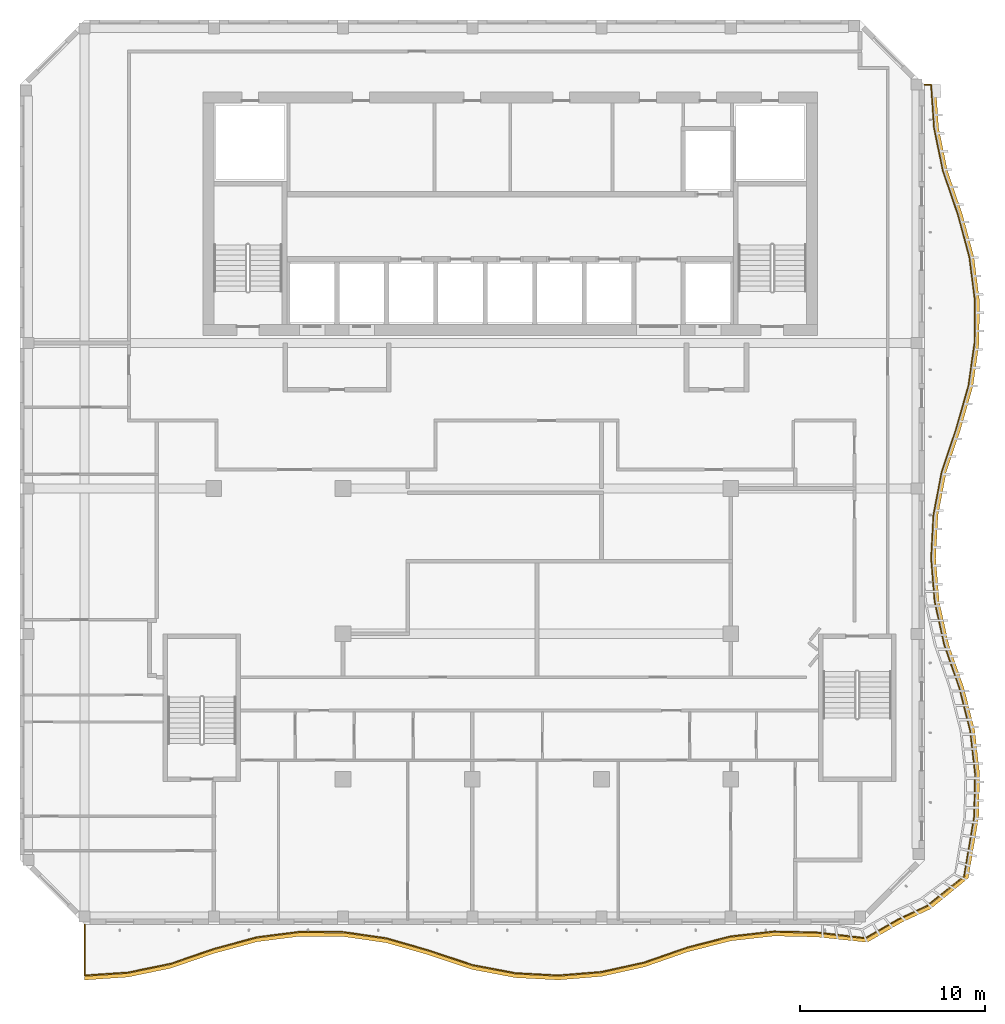
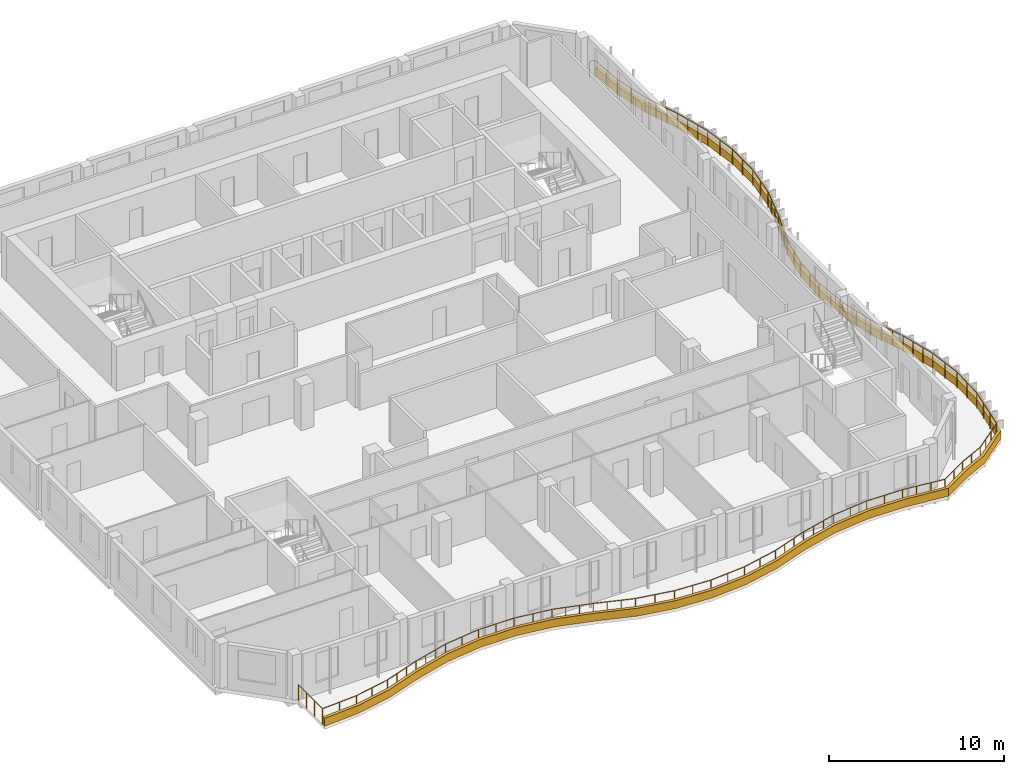
# One storey, part 12 of 17: 1 railing, 1 shading device.
"""IFC4 building model written with IfcOpenShell, lengths in metres."""

from ifc_helpers import new_model, si_unit, direction, frame, origin, origin_2d, place, context, subcontext, project, spatial, polyline, circle, outline, extrude, source, transform, mapped, material, layer, layer_set, type_object, element, save


model = new_model("IFC4")

# Units and contexts
model_context = context("Model", 3, precision=1e-05, world=origin(), true_north=direction((0.0, 1.0)))
body_context = subcontext(model_context, "Body", "Model", "MODEL_VIEW")
ifc_project = project(units=[si_unit("LENGTHUNIT", "METRE"), si_unit("AREAUNIT", "SQUARE_METRE"), si_unit("VOLUMEUNIT", "CUBIC_METRE"), si_unit("PLANEANGLEUNIT", "RADIAN"), si_unit("MASSUNIT", "GRAM", prefix="KILO")], contexts=[model_context])

# Site, building, storey
site_placement = place(None, origin())
site = spatial("IfcSite", under=ifc_project, at=site_placement, CompositionType="ELEMENT")
building_placement = place(site_placement, origin())
building = spatial("IfcBuilding", under=site, at=building_placement, Name="Kilnfold Tower and Market Hall", CompositionType="ELEMENT")
storey_placement = place(building_placement, frame((0.0, 0.0, 301.800048828125)))
storey = spatial("IfcBuildingStorey", under=building, at=storey_placement, Name="L75", CompositionType="ELEMENT", Elevation=301.800048828125)

# Railing
ifc_material_1 = material(Name="Stainless steel and laminated glass", Category="steel")
railing_type = type_object("IfcRailingType", Name="GUARD 1100", PredefinedType="GUARDRAIL", material=ifc_material_1)
railing_placement = place(storey_placement, frame((-22.0, -23.5, 0.0)))
element("IfcRailing", 1, at=railing_placement, inside=storey, type_object=railing_type, Name="Guard balcony L75", PredefinedType="GUARDRAIL", context=body_context, shape_type="SweptSolid", body=[
    extrude(circle(Radius=0.02490234375, at=origin_2d()), frame((0.0, 0.0, 1.0751953125), z_axis=(0.0, -1.0, 0.0), x_axis=(1.0, 0.0, 0.0)), (0.0, 0.0, 1.0), 2.75),
    extrude(circle(Radius=0.02490234375, at=origin_2d()), frame((0.0, -2.75, 1.0751953125), z_axis=(0.997744320473, 0.067128764054, 0.0), x_axis=(-0.067128764054, 0.997744320473, 0.0)), (0.0, 0.0, 1.0), 2.338623046875),
    extrude(circle(Radius=0.02490234375, at=origin_2d()), frame((2.333251953125, -2.593017578125, 1.0751953125), z_axis=(0.979514155194, 0.201375320669, 0.0), x_axis=(-0.201375320669, 0.979514155194, 0.0)), (0.0, 0.0, 1.0), 2.38232421875),
    extrude(circle(Radius=0.02490234375, at=origin_2d()), frame((4.666748046875, -2.11328125, 1.0751953125), z_axis=(0.945693253584, 0.325060409964, 0.0), x_axis=(-0.325060409964, 0.945693253584, 0.0)), (0.0, 0.0, 1.0), 2.46728515625),
    extrude(circle(Radius=0.02490234375, at=origin_2d()), frame((7.0, -1.311279296875, 1.0751953125), z_axis=(0.965260874363, 0.261288048758, 0.0), x_axis=(-0.261288048758, 0.965260874363, 0.0)), (0.0, 0.0, 1.0), 2.417236328125),
    extrude(circle(Radius=0.02490234375, at=origin_2d()), frame((9.333251953125, -0.6796875, 1.0751953125), z_axis=(0.991912848842, 0.126920842659, 0.0), x_axis=(-0.126920842659, 0.991912848842, 0.0)), (0.0, 0.0, 1.0), 2.3525390625),
    extrude(circle(Radius=0.02490234375, at=origin_2d()), frame((11.666748046875, -0.381103515625, 1.0751953125), z_axis=(0.999973937982, -0.007219650698, 0.0), x_axis=(0.007219650698, 0.999973937982, 0.0)), (0.0, 0.0, 1.0), 2.333251953125),
    extrude(circle(Radius=0.02490234375, at=origin_2d()), frame((14.0, -0.39794921875, 1.0751953125), z_axis=(0.989924618901, -0.141595370308, 0.0), x_axis=(0.141595370308, 0.989924618901, 0.0)), (0.0, 0.0, 1.0), 2.35693359375),
    extrude(circle(Radius=0.02490234375, at=origin_2d()), frame((16.333251953125, -0.731689453125, 1.0751953125), z_axis=(0.961227378487, -0.275757006886, 0.0), x_axis=(0.275757006886, 0.961227378487, 0.0)), (0.0, 0.0, 1.0), 2.427734375),
    extrude(circle(Radius=0.02490234375, at=origin_2d()), frame((18.666748046875, -1.401123046875, 1.0751953125), z_axis=(0.948375225103, -0.317150488587, 0.0), x_axis=(0.317150488587, 0.948375225103, 0.0)), (0.0, 0.0, 1.0), 2.460205078125),
    extrude(circle(Radius=0.02490234375, at=origin_2d()), frame((21.0, -2.181396484375, 1.0751953125), z_axis=(0.982383523607, -0.186875928212, 0.0), x_axis=(0.186875928212, 0.982383523607, 0.0)), (0.0, 0.0, 1.0), 2.375),
    extrude(circle(Radius=0.02490234375, at=origin_2d()), frame((23.333251953125, -2.625244140625, 1.0751953125), z_axis=(0.998612629354, -0.052657539778, 0.0), x_axis=(0.052657539778, 0.998612629354, 0.0)), (0.0, 0.0, 1.0), 2.336669921875),
    extrude(circle(Radius=0.02490234375, at=origin_2d()), frame((25.666748046875, -2.748291015625, 1.0751953125), z_axis=(0.996652090419, 0.081759468336, 0.0), x_axis=(-0.081759468336, 0.996652090419, 0.0)), (0.0, 0.0, 1.0), 2.341064453125),
    extrude(circle(Radius=0.02490234375, at=origin_2d()), frame((28.0, -2.556884765625, 1.0751953125), z_axis=(0.976419679672, 0.215881006921, 0.0), x_axis=(-0.215881006921, 0.976419679672, 0.0)), (0.0, 0.0, 1.0), 2.3896484375),
    extrude(circle(Radius=0.02490234375, at=origin_2d()), frame((30.333251953125, -2.041015625, 1.0751953125), z_axis=(0.944082964378, 0.329707986513, 0.0), x_axis=(-0.329707986513, 0.944082964378, 0.0)), (0.0, 0.0, 1.0), 2.4716796875),
    extrude(circle(Radius=0.02490234375, at=origin_2d()), frame((32.666748046875, -1.22607421875, 1.0751953125), z_axis=(0.969065433621, 0.246803941136, 0.0), x_axis=(-0.246803941136, 0.969065433621, 0.0)), (0.0, 0.0, 1.0), 2.40771484375),
    extrude(circle(Radius=0.02490234375, at=origin_2d()), frame((35.0, -0.6318359375, 1.0751953125), z_axis=(0.9936637082, 0.112394105741, 0.0), x_axis=(-0.112394105741, 0.9936637082, 0.0)), (0.0, 0.0, 1.0), 2.34814453125),
    extrude(circle(Radius=0.02490234375, at=origin_2d()), frame((37.333251953125, -0.367919921875, 1.0751953125), z_axis=(0.999763294472, -0.021756723713, 0.0), x_axis=(0.021756723713, 0.999763294472, 0.0)), (0.0, 0.0, 1.0), 2.333984375),
    extrude(circle(Radius=0.02490234375, at=origin_2d()), frame((39.666748046875, -0.418701171875, 1.0751953125), z_axis=(0.993209534194, -0.116339250414, 0.0), x_axis=(0.116339250414, 0.993209534194, 0.0)), (0.0, 0.0, 1.0), 2.652587890625),
    extrude(circle(Radius=0.02490234375, at=origin_2d()), frame((42.30126953125, -0.727294921875, 1.0751953125), z_axis=(0.866123210065, 0.499830556276, 0.0), x_axis=(-0.499830556276, 0.866123210065, 0.0)), (0.0, 0.0, 1.0), 2.020263671875),
    extrude(circle(Radius=0.02490234375, at=origin_2d()), frame((44.051025390625, 0.282470703125, 1.0751953125), z_axis=(0.905937791397, 0.423410814834, 0.0), x_axis=(-0.423410814834, 0.905937791397, 0.0)), (0.0, 0.0, 1.0), 1.755126953125),
    extrude(circle(Radius=0.02490234375, at=origin_2d()), frame((45.64111328125, 1.025634765625, 1.0751953125), z_axis=(0.782230054052, 0.622989680924, 0.0), x_axis=(-0.622989680924, 0.782230054052, 0.0)), (0.0, 0.0, 1.0), 2.55126953125),
    extrude(circle(Radius=0.02490234375, at=origin_2d()), frame((47.63671875, 2.614990234375, 1.0751953125), z_axis=(0.166872846644, 0.985978424233, 0.0), x_axis=(-0.985978424233, 0.166872846644, 0.0)), (0.0, 0.0, 1.0), 3.263916015625),
    extrude(circle(Radius=0.02490234375, at=origin_2d()), frame((48.181396484375, 5.833251953125, 1.0751953125), z_axis=(0.021756723713, 0.999763294472, 0.0), x_axis=(-0.999763294472, 0.021756723713, 0.0)), (0.0, 0.0, 1.0), 2.333984375),
    extrude(circle(Radius=0.02490234375, at=origin_2d()), frame((48.232177734375, 8.166748046875, 1.0751953125), z_axis=(-0.112496762863, 0.9936520912, 0.0), x_axis=(-0.9936520912, -0.112496762863, 0.0)), (0.0, 0.0, 1.0), 2.34814453125),
    extrude(circle(Radius=0.02490234375, at=origin_2d()), frame((47.968017578125, 10.5, 1.0751953125), z_axis=(-0.246708715469, 0.969089680944, 0.0), x_axis=(-0.969089680944, -0.246708715469, 0.0)), (0.0, 0.0, 1.0), 2.40771484375),
    extrude(circle(Radius=0.02490234375, at=origin_2d()), frame((47.3740234375, 12.833251953125, 1.0751953125), z_axis=(-0.329707986513, 0.944082964378, 0.0), x_axis=(-0.944082964378, -0.329707986513, 0.0)), (0.0, 0.0, 1.0), 2.4716796875),
    extrude(circle(Radius=0.02490234375, at=origin_2d()), frame((46.55908203125, 15.166748046875, 1.0751953125), z_axis=(-0.215978410209, 0.976398139246, 0.0), x_axis=(-0.976398139246, -0.215978410209, 0.0)), (0.0, 0.0, 1.0), 2.3896484375),
    extrude(circle(Radius=0.02490234375, at=origin_2d()), frame((46.04296875, 17.5, 1.0751953125), z_axis=(-0.081655879081, 0.996660582852, 0.0), x_axis=(-0.996660582852, -0.081655879081, 0.0)), (0.0, 0.0, 1.0), 2.341064453125),
    extrude(circle(Radius=0.02490234375, at=origin_2d()), frame((45.851806640625, 19.833251953125, 1.0751953125), z_axis=(0.052553349375, 0.998618117936, 0.0), x_axis=(-0.998618117936, 0.052553349375, 0.0)), (0.0, 0.0, 1.0), 2.336669921875),
    extrude(circle(Radius=0.02490234375, at=origin_2d()), frame((45.974609375, 22.166748046875, 1.0751953125), z_axis=(0.186975127626, 0.982364648005, 0.0), x_axis=(-0.982364648005, 0.186975127626, 0.0)), (0.0, 0.0, 1.0), 2.375244140625),
    extrude(circle(Radius=0.02490234375, at=origin_2d()), frame((46.418701171875, 24.5, 1.0751953125), z_axis=(0.317150488587, 0.948375225103, 0.0), x_axis=(-0.948375225103, 0.317150488587, 0.0)), (0.0, 0.0, 1.0), 2.460205078125),
    extrude(circle(Radius=0.02490234375, at=origin_2d()), frame((47.198974609375, 26.833251953125, 1.0751953125), z_axis=(0.275757006886, 0.961227378487, 0.0), x_axis=(-0.961227378487, 0.275757006886, 0.0)), (0.0, 0.0, 1.0), 2.427734375),
    extrude(circle(Radius=0.02490234375, at=origin_2d()), frame((47.868408203125, 29.166748046875, 1.0751953125), z_axis=(0.141493863694, 0.989939132743, 0.0), x_axis=(-0.989939132743, 0.141493863694, 0.0)), (0.0, 0.0, 1.0), 2.35693359375),
    extrude(circle(Radius=0.02490234375, at=origin_2d()), frame((48.201904296875, 31.5, 1.0751953125), z_axis=(0.007324277744, 0.999973177118, 0.0), x_axis=(-0.999973177118, 0.007324277744, 0.0)), (0.0, 0.0, 1.0), 2.333251953125),
    extrude(circle(Radius=0.02490234375, at=origin_2d()), frame((48.218994140625, 33.833251953125, 1.0751953125), z_axis=(-0.127022947172, 0.991899778653, 0.0), x_axis=(-0.991899778653, -0.127022947172, 0.0)), (0.0, 0.0, 1.0), 2.3525390625),
    extrude(circle(Radius=0.02490234375, at=origin_2d()), frame((47.920166015625, 36.166748046875, 1.0751953125), z_axis=(-0.261288048758, 0.965260874363, 0.0), x_axis=(-0.965260874363, -0.261288048758, 0.0)), (0.0, 0.0, 1.0), 2.417236328125),
    extrude(circle(Radius=0.02490234375, at=origin_2d()), frame((47.28857421875, 38.5, 1.0751953125), z_axis=(-0.324971908544, 0.945723669291, 0.0), x_axis=(-0.945723669291, -0.324971908544, 0.0)), (0.0, 0.0, 1.0), 2.467041015625),
    extrude(circle(Radius=0.02490234375, at=origin_2d()), frame((46.48681640625, 40.833251953125, 1.0751953125), z_axis=(-0.201375320669, 0.979514155194, 0.0), x_axis=(-0.979514155194, -0.201375320669, 0.0)), (0.0, 0.0, 1.0), 2.38232421875),
    extrude(circle(Radius=0.02490234375, at=origin_2d()), frame((46.007080078125, 43.166748046875, 1.0751953125), z_axis=(-0.067128764054, 0.997744320473, 0.0), x_axis=(-0.997744320473, -0.067128764054, 0.0)), (0.0, 0.0, 1.0), 2.338623046875),
    extrude(circle(Radius=0.02490234375, at=origin_2d()), frame((45.85009765625, 45.5, 1.0751953125), z_axis=(-1.0, 0.0, 0.0), x_axis=(0.0, -1.0, 0.0)), (0.0, 0.0, 1.0), 0.35009765625),
    extrude(circle(Radius=0.02490234375, at=origin_2d()), origin(), (0.0, 0.0, 1.0), 1.050048828125),
    extrude(circle(Radius=0.02490234375, at=origin_2d()), frame((0.0, -0.916748046875, 0.0)), (0.0, 0.0, 1.0), 1.050048828125),
    extrude(circle(Radius=0.02490234375, at=origin_2d()), frame((0.0, -1.833251953125, 0.0)), (0.0, 0.0, 1.0), 1.050048828125),
    extrude(circle(Radius=0.02490234375, at=origin_2d()), frame((0.0, -2.75, 0.0)), (0.0, 0.0, 1.0), 1.050048828125),
    extrude(circle(Radius=0.02490234375, at=origin_2d()), frame((1.16650390625, -2.67138671875, 0.0)), (0.0, 0.0, 1.0), 1.050048828125),
    extrude(circle(Radius=0.02490234375, at=origin_2d()), frame((2.333251953125, -2.593017578125, 0.0)), (0.0, 0.0, 1.0), 1.050048828125),
    extrude(circle(Radius=0.02490234375, at=origin_2d()), frame((3.5, -2.35302734375, 0.0)), (0.0, 0.0, 1.0), 1.050048828125),
    extrude(circle(Radius=0.02490234375, at=origin_2d()), frame((4.666748046875, -2.11328125, 0.0)), (0.0, 0.0, 1.0), 1.050048828125),
    extrude(circle(Radius=0.02490234375, at=origin_2d()), frame((5.444580078125, -1.845947265625, 0.0)), (0.0, 0.0, 1.0), 1.050048828125),
    extrude(circle(Radius=0.02490234375, at=origin_2d()), frame((6.22216796875, -1.57861328125, 0.0)), (0.0, 0.0, 1.0), 1.050048828125),
    extrude(circle(Radius=0.02490234375, at=origin_2d()), frame((7.0, -1.311279296875, 0.0)), (0.0, 0.0, 1.0), 1.050048828125),
    extrude(circle(Radius=0.02490234375, at=origin_2d()), frame((7.77783203125, -1.100830078125, 0.0)), (0.0, 0.0, 1.0), 1.050048828125),
    extrude(circle(Radius=0.02490234375, at=origin_2d()), frame((8.555419921875, -0.89013671875, 0.0)), (0.0, 0.0, 1.0), 1.050048828125),
    extrude(circle(Radius=0.02490234375, at=origin_2d()), frame((9.333251953125, -0.6796875, 0.0)), (0.0, 0.0, 1.0), 1.050048828125),
    extrude(circle(Radius=0.02490234375, at=origin_2d()), frame((10.5, -0.5302734375, 0.0)), (0.0, 0.0, 1.0), 1.050048828125),
    extrude(circle(Radius=0.02490234375, at=origin_2d()), frame((11.666748046875, -0.381103515625, 0.0)), (0.0, 0.0, 1.0), 1.050048828125),
    extrude(circle(Radius=0.02490234375, at=origin_2d()), frame((12.83349609375, -0.3896484375, 0.0)), (0.0, 0.0, 1.0), 1.050048828125),
    extrude(circle(Radius=0.02490234375, at=origin_2d()), frame((14.0, -0.39794921875, 0.0)), (0.0, 0.0, 1.0), 1.050048828125),
    extrude(circle(Radius=0.02490234375, at=origin_2d()), frame((15.16650390625, -0.56494140625, 0.0)), (0.0, 0.0, 1.0), 1.050048828125),
    extrude(circle(Radius=0.02490234375, at=origin_2d()), frame((16.333251953125, -0.731689453125, 0.0)), (0.0, 0.0, 1.0), 1.050048828125),
    extrude(circle(Radius=0.02490234375, at=origin_2d()), frame((17.111083984375, -0.954833984375, 0.0)), (0.0, 0.0, 1.0), 1.050048828125),
    extrude(circle(Radius=0.02490234375, at=origin_2d()), frame((17.888916015625, -1.177978515625, 0.0)), (0.0, 0.0, 1.0), 1.050048828125),
    extrude(circle(Radius=0.02490234375, at=origin_2d()), frame((18.666748046875, -1.401123046875, 0.0)), (0.0, 0.0, 1.0), 1.050048828125),
    extrude(circle(Radius=0.02490234375, at=origin_2d()), frame((19.444580078125, -1.6611328125, 0.0)), (0.0, 0.0, 1.0), 1.050048828125),
    extrude(circle(Radius=0.02490234375, at=origin_2d()), frame((20.22216796875, -1.92138671875, 0.0)), (0.0, 0.0, 1.0), 1.050048828125),
    extrude(circle(Radius=0.02490234375, at=origin_2d()), frame((21.0, -2.181396484375, 0.0)), (0.0, 0.0, 1.0), 1.050048828125),
    extrude(circle(Radius=0.02490234375, at=origin_2d()), frame((22.16650390625, -2.4033203125, 0.0)), (0.0, 0.0, 1.0), 1.050048828125),
    extrude(circle(Radius=0.02490234375, at=origin_2d()), frame((23.333251953125, -2.625244140625, 0.0)), (0.0, 0.0, 1.0), 1.050048828125),
    extrude(circle(Radius=0.02490234375, at=origin_2d()), frame((24.5, -2.686767578125, 0.0)), (0.0, 0.0, 1.0), 1.050048828125),
    extrude(circle(Radius=0.02490234375, at=origin_2d()), frame((25.666748046875, -2.748291015625, 0.0)), (0.0, 0.0, 1.0), 1.050048828125),
    extrude(circle(Radius=0.02490234375, at=origin_2d()), frame((26.83349609375, -2.652587890625, 0.0)), (0.0, 0.0, 1.0), 1.050048828125),
    extrude(circle(Radius=0.02490234375, at=origin_2d()), frame((28.0, -2.556884765625, 0.0)), (0.0, 0.0, 1.0), 1.050048828125),
    extrude(circle(Radius=0.02490234375, at=origin_2d()), frame((29.16650390625, -2.298828125, 0.0)), (0.0, 0.0, 1.0), 1.050048828125),
    extrude(circle(Radius=0.02490234375, at=origin_2d()), frame((30.333251953125, -2.041015625, 0.0)), (0.0, 0.0, 1.0), 1.050048828125),
    extrude(circle(Radius=0.02490234375, at=origin_2d()), frame((31.111083984375, -1.769287109375, 0.0)), (0.0, 0.0, 1.0), 1.050048828125),
    extrude(circle(Radius=0.02490234375, at=origin_2d()), frame((31.888916015625, -1.497802734375, 0.0)), (0.0, 0.0, 1.0), 1.050048828125),
    extrude(circle(Radius=0.02490234375, at=origin_2d()), frame((32.666748046875, -1.22607421875, 0.0)), (0.0, 0.0, 1.0), 1.050048828125),
    extrude(circle(Radius=0.02490234375, at=origin_2d()), frame((33.444580078125, -1.028076171875, 0.0)), (0.0, 0.0, 1.0), 1.050048828125),
    extrude(circle(Radius=0.02490234375, at=origin_2d()), frame((34.22216796875, -0.829833984375, 0.0)), (0.0, 0.0, 1.0), 1.050048828125),
    extrude(circle(Radius=0.02490234375, at=origin_2d()), frame((35.0, -0.6318359375, 0.0)), (0.0, 0.0, 1.0), 1.050048828125),
    extrude(circle(Radius=0.02490234375, at=origin_2d()), frame((36.16650390625, -0.5, 0.0)), (0.0, 0.0, 1.0), 1.050048828125),
    extrude(circle(Radius=0.02490234375, at=origin_2d()), frame((37.333251953125, -0.367919921875, 0.0)), (0.0, 0.0, 1.0), 1.050048828125),
    extrude(circle(Radius=0.02490234375, at=origin_2d()), frame((38.5, -0.393310546875, 0.0)), (0.0, 0.0, 1.0), 1.050048828125),
    extrude(circle(Radius=0.02490234375, at=origin_2d()), frame((39.666748046875, -0.418701171875, 0.0)), (0.0, 0.0, 1.0), 1.050048828125),
    extrude(circle(Radius=0.02490234375, at=origin_2d()), frame((40.544921875, -0.521484375, 0.0)), (0.0, 0.0, 1.0), 1.050048828125),
    extrude(circle(Radius=0.02490234375, at=origin_2d()), frame((41.423095703125, -0.62451171875, 0.0)), (0.0, 0.0, 1.0), 1.050048828125),
    extrude(circle(Radius=0.02490234375, at=origin_2d()), frame((42.30126953125, -0.727294921875, 0.0)), (0.0, 0.0, 1.0), 1.050048828125),
    extrude(circle(Radius=0.02490234375, at=origin_2d()), frame((43.17626953125, -0.222412109375, 0.0)), (0.0, 0.0, 1.0), 1.050048828125),
    extrude(circle(Radius=0.02490234375, at=origin_2d()), frame((44.051025390625, 0.282470703125, 0.0)), (0.0, 0.0, 1.0), 1.050048828125),
    extrude(circle(Radius=0.02490234375, at=origin_2d()), frame((44.84619140625, 0.654052734375, 0.0)), (0.0, 0.0, 1.0), 1.050048828125),
    extrude(circle(Radius=0.02490234375, at=origin_2d()), frame((45.64111328125, 1.025634765625, 0.0)), (0.0, 0.0, 1.0), 1.050048828125),
    extrude(circle(Radius=0.02490234375, at=origin_2d()), frame((46.306396484375, 1.555419921875, 0.0)), (0.0, 0.0, 1.0), 1.050048828125),
    extrude(circle(Radius=0.02490234375, at=origin_2d()), frame((46.971435546875, 2.085205078125, 0.0)), (0.0, 0.0, 1.0), 1.050048828125),
    extrude(circle(Radius=0.02490234375, at=origin_2d()), frame((47.63671875, 2.614990234375, 0.0)), (0.0, 0.0, 1.0), 1.050048828125),
    extrude(circle(Radius=0.02490234375, at=origin_2d()), frame((47.818359375, 3.687744140625, 0.0)), (0.0, 0.0, 1.0), 1.050048828125),
    extrude(circle(Radius=0.02490234375, at=origin_2d()), frame((47.999755859375, 4.760498046875, 0.0)), (0.0, 0.0, 1.0), 1.050048828125),
    extrude(circle(Radius=0.02490234375, at=origin_2d()), frame((48.181396484375, 5.833251953125, 0.0)), (0.0, 0.0, 1.0), 1.050048828125),
    extrude(circle(Radius=0.02490234375, at=origin_2d()), frame((48.206787109375, 7.0, 0.0)), (0.0, 0.0, 1.0), 1.050048828125),
    extrude(circle(Radius=0.02490234375, at=origin_2d()), frame((48.232177734375, 8.166748046875, 0.0)), (0.0, 0.0, 1.0), 1.050048828125),
    extrude(circle(Radius=0.02490234375, at=origin_2d()), frame((48.10009765625, 9.33349609375, 0.0)), (0.0, 0.0, 1.0), 1.050048828125),
    extrude(circle(Radius=0.02490234375, at=origin_2d()), frame((47.968017578125, 10.5, 0.0)), (0.0, 0.0, 1.0), 1.050048828125),
    extrude(circle(Radius=0.02490234375, at=origin_2d()), frame((47.77001953125, 11.27783203125, 0.0)), (0.0, 0.0, 1.0), 1.050048828125),
    extrude(circle(Radius=0.02490234375, at=origin_2d()), frame((47.572021484375, 12.055419921875, 0.0)), (0.0, 0.0, 1.0), 1.050048828125),
    extrude(circle(Radius=0.02490234375, at=origin_2d()), frame((47.3740234375, 12.833251953125, 0.0)), (0.0, 0.0, 1.0), 1.050048828125),
    extrude(circle(Radius=0.02490234375, at=origin_2d()), frame((47.102294921875, 13.611083984375, 0.0)), (0.0, 0.0, 1.0), 1.050048828125),
    extrude(circle(Radius=0.02490234375, at=origin_2d()), frame((46.830810546875, 14.388916015625, 0.0)), (0.0, 0.0, 1.0), 1.050048828125),
    extrude(circle(Radius=0.02490234375, at=origin_2d()), frame((46.55908203125, 15.166748046875, 0.0)), (0.0, 0.0, 1.0), 1.050048828125),
    extrude(circle(Radius=0.02490234375, at=origin_2d()), frame((46.301025390625, 16.33349609375, 0.0)), (0.0, 0.0, 1.0), 1.050048828125),
    extrude(circle(Radius=0.02490234375, at=origin_2d()), frame((46.04296875, 17.5, 0.0)), (0.0, 0.0, 1.0), 1.050048828125),
    extrude(circle(Radius=0.02490234375, at=origin_2d()), frame((45.947265625, 18.66650390625, 0.0)), (0.0, 0.0, 1.0), 1.050048828125),
    extrude(circle(Radius=0.02490234375, at=origin_2d()), frame((45.851806640625, 19.833251953125, 0.0)), (0.0, 0.0, 1.0), 1.050048828125),
    extrude(circle(Radius=0.02490234375, at=origin_2d()), frame((45.9130859375, 21.0, 0.0)), (0.0, 0.0, 1.0), 1.050048828125),
    extrude(circle(Radius=0.02490234375, at=origin_2d()), frame((45.974609375, 22.166748046875, 0.0)), (0.0, 0.0, 1.0), 1.050048828125),
    extrude(circle(Radius=0.02490234375, at=origin_2d()), frame((46.19677734375, 23.33349609375, 0.0)), (0.0, 0.0, 1.0), 1.050048828125),
    extrude(circle(Radius=0.02490234375, at=origin_2d()), frame((46.418701171875, 24.5, 0.0)), (0.0, 0.0, 1.0), 1.050048828125),
    extrude(circle(Radius=0.02490234375, at=origin_2d()), frame((46.6787109375, 25.27783203125, 0.0)), (0.0, 0.0, 1.0), 1.050048828125),
    extrude(circle(Radius=0.02490234375, at=origin_2d()), frame((46.93896484375, 26.055419921875, 0.0)), (0.0, 0.0, 1.0), 1.050048828125),
    extrude(circle(Radius=0.02490234375, at=origin_2d()), frame((47.198974609375, 26.833251953125, 0.0)), (0.0, 0.0, 1.0), 1.050048828125),
    extrude(circle(Radius=0.02490234375, at=origin_2d()), frame((47.422119140625, 27.611083984375, 0.0)), (0.0, 0.0, 1.0), 1.050048828125),
    extrude(circle(Radius=0.02490234375, at=origin_2d()), frame((47.645263671875, 28.388916015625, 0.0)), (0.0, 0.0, 1.0), 1.050048828125),
    extrude(circle(Radius=0.02490234375, at=origin_2d()), frame((47.868408203125, 29.166748046875, 0.0)), (0.0, 0.0, 1.0), 1.050048828125),
    extrude(circle(Radius=0.02490234375, at=origin_2d()), frame((48.03515625, 30.33349609375, 0.0)), (0.0, 0.0, 1.0), 1.050048828125),
    extrude(circle(Radius=0.02490234375, at=origin_2d()), frame((48.201904296875, 31.5, 0.0)), (0.0, 0.0, 1.0), 1.050048828125),
    extrude(circle(Radius=0.02490234375, at=origin_2d()), frame((48.21044921875, 32.66650390625, 0.0)), (0.0, 0.0, 1.0), 1.050048828125),
    extrude(circle(Radius=0.02490234375, at=origin_2d()), frame((48.218994140625, 33.833251953125, 0.0)), (0.0, 0.0, 1.0), 1.050048828125),
    extrude(circle(Radius=0.02490234375, at=origin_2d()), frame((48.069580078125, 35.0, 0.0)), (0.0, 0.0, 1.0), 1.050048828125),
    extrude(circle(Radius=0.02490234375, at=origin_2d()), frame((47.920166015625, 36.166748046875, 0.0)), (0.0, 0.0, 1.0), 1.050048828125),
    extrude(circle(Radius=0.02490234375, at=origin_2d()), frame((47.709716796875, 36.944580078125, 0.0)), (0.0, 0.0, 1.0), 1.050048828125),
    extrude(circle(Radius=0.02490234375, at=origin_2d()), frame((47.4990234375, 37.72216796875, 0.0)), (0.0, 0.0, 1.0), 1.050048828125),
    extrude(circle(Radius=0.02490234375, at=origin_2d()), frame((47.28857421875, 38.5, 0.0)), (0.0, 0.0, 1.0), 1.050048828125),
    extrude(circle(Radius=0.02490234375, at=origin_2d()), frame((47.021240234375, 39.27783203125, 0.0)), (0.0, 0.0, 1.0), 1.050048828125),
    extrude(circle(Radius=0.02490234375, at=origin_2d()), frame((46.754150390625, 40.055419921875, 0.0)), (0.0, 0.0, 1.0), 1.050048828125),
    extrude(circle(Radius=0.02490234375, at=origin_2d()), frame((46.48681640625, 40.833251953125, 0.0)), (0.0, 0.0, 1.0), 1.050048828125),
    extrude(circle(Radius=0.02490234375, at=origin_2d()), frame((46.2470703125, 42.0, 0.0)), (0.0, 0.0, 1.0), 1.050048828125),
    extrude(circle(Radius=0.02490234375, at=origin_2d()), frame((46.007080078125, 43.166748046875, 0.0)), (0.0, 0.0, 1.0), 1.050048828125),
    extrude(circle(Radius=0.02490234375, at=origin_2d()), frame((45.9287109375, 44.33349609375, 0.0)), (0.0, 0.0, 1.0), 1.050048828125),
    extrude(circle(Radius=0.02490234375, at=origin_2d()), frame((45.85009765625, 45.5, 0.0)), (0.0, 0.0, 1.0), 1.050048828125),
    extrude(circle(Radius=0.02490234375, at=origin_2d()), frame((45.5, 45.5, 0.0)), (0.0, 0.0, 1.0), 1.050048828125),
])

# Shading device
ifc_material_2 = material(Name="Precast concrete C50/60", Category="concrete")
ifc_layer = layer(ifc_material_2, 0.550048828125)
ifc_layer_set = layer_set([ifc_layer], Name="Precast concrete C50/60")
shading_device_type = type_object("IfcShadingDeviceType", Name="BALCONY UPSTAND 550", PredefinedType="USERDEFINED", material=ifc_layer_set)
shared_shape = source(origin(), body_context, "Body", "SweptSolid", [
    extrude(outline(polyline([(-22.0, -26.5), (-19.666748046875, -26.343017578125), (-17.333251953125, -25.86328125), (-15.0, -25.061279296875), (-12.666748046875, -24.4296875), (-10.333251953125, -24.131103515625), (-8.0, -24.14794921875), (-5.666748046875, -24.481689453125), (-3.333251953125, -25.151123046875), (-1.0, -25.931396484375), (1.333251953125, -26.375244140625), (3.666748046875, -26.498291015625), (6.0, -26.306884765625), (8.333251953125, -25.791015625), (10.666748046875, -24.97607421875), (13.0, -24.3818359375), (15.333251953125, -24.117919921875), (17.666748046875, -24.168701171875), (20.39697265625, -24.458251953125), (22.227783203125, -23.394287109375), (23.81787109375, -22.651123046875), (25.86767578125, -20.980712890625), (26.431396484375, -17.666748046875), (26.482177734375, -15.333251953125), (26.218017578125, -13.0), (25.6240234375, -10.666748046875), (24.80908203125, -8.333251953125), (24.29296875, -6.0), (24.101806640625, -3.666748046875), (24.224609375, -1.333251953125), (24.668701171875, 1.0), (25.448974609375, 3.333251953125), (26.118408203125, 5.666748046875), (26.451904296875, 8.0), (26.468994140625, 10.333251953125), (26.170166015625, 12.666748046875), (25.53857421875, 15.0), (24.73681640625, 17.333251953125), (24.257080078125, 19.666748046875), (24.10009765625, 22.0), (23.89990234375, 22.0), (24.056884765625, 19.666748046875), (24.53662109375, 17.333251953125), (25.338623046875, 15.0), (25.97021484375, 12.666748046875), (26.268798828125, 10.333251953125), (26.251953125, 8.0), (25.91845703125, 5.666748046875), (25.248779296875, 3.333251953125), (24.468505859375, 1.0), (24.024658203125, -1.333251953125), (23.90185546875, -3.666748046875), (24.093017578125, -6.0), (24.60888671875, -8.333251953125), (25.424072265625, -10.666748046875), (26.01806640625, -13.0), (26.2822265625, -15.333251953125), (26.231201171875, -17.666748046875), (25.682861328125, -20.904296875), (23.676513671875, -22.509765625), (22.08642578125, -23.2529296875), (20.320556640625, -24.2734375), (17.666748046875, -23.96875), (15.333251953125, -23.917724609375), (13.0, -24.181884765625), (10.666748046875, -24.77587890625), (8.333251953125, -25.591064453125), (6.0, -26.10693359375), (3.666748046875, -26.298095703125), (1.333251953125, -26.17529296875), (-1.0, -25.7314453125), (-3.333251953125, -24.951171875), (-5.666748046875, -24.281494140625), (-8.0, -23.947998046875), (-10.333251953125, -23.93115234375), (-12.666748046875, -24.229736328125), (-15.0, -24.861328125), (-17.333251953125, -25.663330078125), (-19.666748046875, -26.14306640625), (-22.0, -26.300048828125), (-22.0, -26.5)])), origin(), (0.0, 0.0, 1.0), 0.550048828125),
])
shading_device_placement = place(storey_placement, origin())
element("IfcShadingDevice", 2, at=shading_device_placement, inside=storey, type_object=shading_device_type, Name="Balcony fascia L75", ObjectType="FASCIA", PredefinedType="USERDEFINED", context=body_context, shape_type="MappedRepresentation", body=[
    mapped(shared_shape, transform((0.0, 0.0, 0.0))),
])

save(model, "model.ifc")
